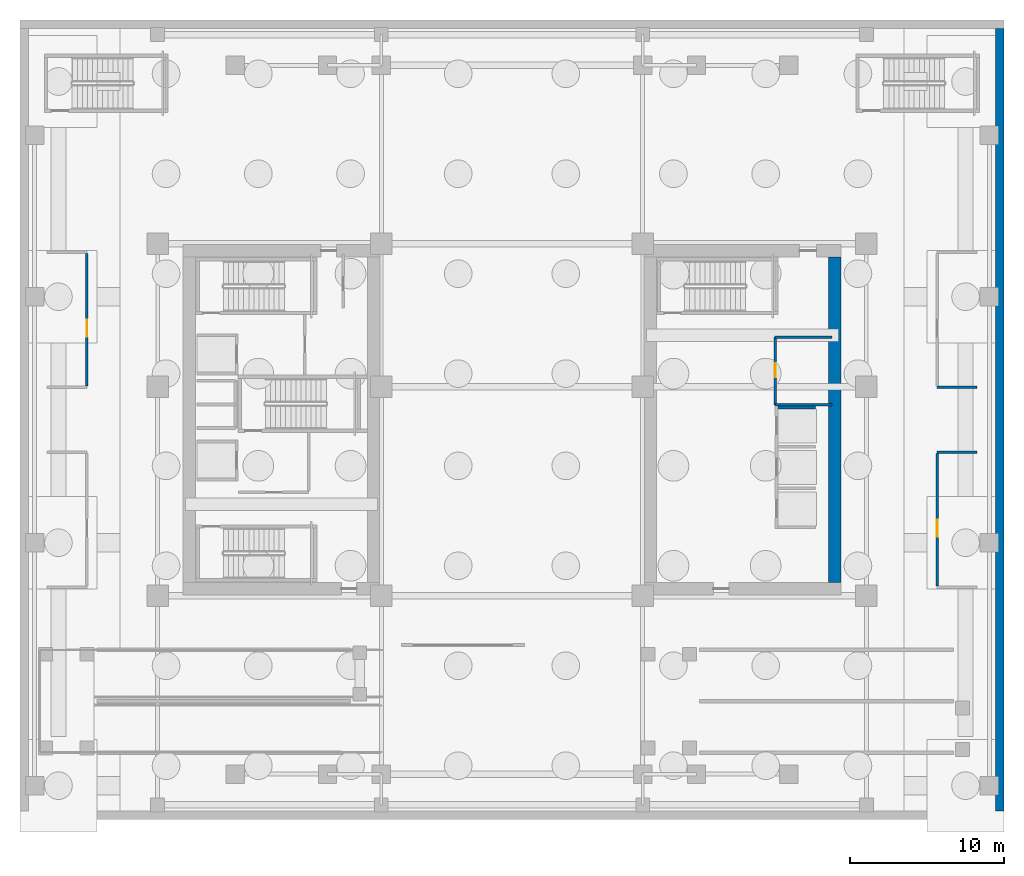
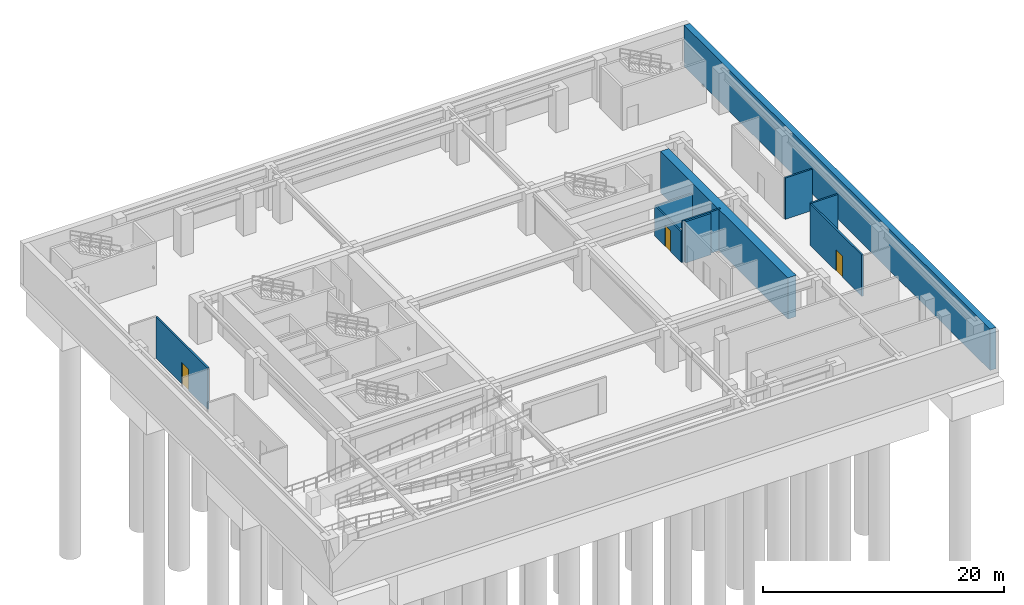
# One storey, part 4 of 9: 10 walls, 3 doors, 3 openings.
"""IFC4 building model written with IfcOpenShell, lengths in metres."""

from ifc_helpers import new_model, si_unit, direction, frame, frame_2d, origin, place, context, subcontext, project, spatial, rectangle, extrude, source, transform, mapped, material, layer, layer_set, type_object, element, fill, save


model = new_model("IFC4")

# Units and contexts
model_context = context("Model", 3, precision=1e-05, world=origin(), true_north=direction((0.0, 1.0)))
body_context = subcontext(model_context, "Body", "Model", "MODEL_VIEW")
ifc_project = project(units=[si_unit("LENGTHUNIT", "METRE"), si_unit("AREAUNIT", "SQUARE_METRE"), si_unit("VOLUMEUNIT", "CUBIC_METRE"), si_unit("PLANEANGLEUNIT", "RADIAN"), si_unit("MASSUNIT", "GRAM", prefix="KILO")], contexts=[model_context])

# Site, building, storey
site_placement = place(None, origin())
site = spatial("IfcSite", under=ifc_project, at=site_placement, CompositionType="ELEMENT")
building_placement = place(site_placement, origin())
building = spatial("IfcBuilding", under=site, at=building_placement, Name="Ocotamira Hotel", CompositionType="ELEMENT")
storey_placement = place(building_placement, frame((0.0, 0.0, -9.0)))
storey = spatial("IfcBuildingStorey", under=building, at=storey_placement, Name="B02", CompositionType="ELEMENT", Elevation=-9.0)

# Walls
ifc_material_1 = material(Name="Concrete C60/75", Category="concrete")
ifc_layer_1 = layer(ifc_material_1, 0.800048828125)
ifc_layer_set_1 = layer_set([ifc_layer_1], Name="Concrete C60/75")
wall_type_1 = type_object("IfcWallType", Name="WL-CORE-800", PredefinedType="SHEAR", material=ifc_layer_set_1)
wall_1_placement = place(storey_placement, frame((53.0, 15.39990234375, 0.0), z_axis=(0.0, 0.0, 1.0), x_axis=(0.0, 1.0, 0.0)))
element("IfcWall", 1, at=wall_1_placement, inside=storey, type_object=wall_type_1, Name="B02 Shear Core Wall ECORE-E", PredefinedType="SHEAR", context=body_context, shape_type="SweptSolid", body=[
    extrude(rectangle(XDim=21.2001953125, YDim=0.800048828125, at=frame_2d((10.60009765625, 0.0))), origin(), (0.0, 0.0, 1.0), 4.199951171875),
])
ifc_material_2 = material(Name="Acoustic double-layer fire gypsum board partition", Category="gypsum")
ifc_layer_2 = layer(ifc_material_2, 0.159912109375)
ifc_layer_set_2 = layer_set([ifc_layer_2], Name="Acoustic double-layer fire gypsum board partition")
wall_type_2 = type_object("IfcWallType", Name="WL-FIRE-160", PredefinedType="PARTITIONING", material=ifc_layer_set_2)
wall_2_placement = place(storey_placement, frame((49.1201171875, 26.969970703125, 0.0), z_axis=(0.0, 0.0, 1.0), x_axis=(1.0, 0.0, 0.0)))
element("IfcWall", 2, at=wall_2_placement, inside=storey, type_object=wall_type_2, Name="B02 Interior Wall PW-B02-EC-NEL-S", PredefinedType="PARTITIONING", context=body_context, shape_type="SweptSolid", body=[
    extrude(rectangle(XDim=3.679931640625, YDim=0.159912109375, at=frame_2d((1.83984375, 0.0))), origin(), (0.0, 0.0, 1.0), 4.199951171875),
])
wall_3_placement = place(storey_placement, frame((49.1201171875, 31.3798828125, 0.0), z_axis=(0.0, 0.0, 1.0), x_axis=(1.0, 0.0, 0.0)))
element("IfcWall", 3, at=wall_3_placement, inside=storey, type_object=wall_type_2, Name="B02 Interior Wall PW-B02-EC-NEL-N", PredefinedType="PARTITIONING", context=body_context, shape_type="SweptSolid", body=[
    extrude(rectangle(XDim=3.679931640625, YDim=0.159912109375, at=frame_2d((1.83984375, 0.0))), origin(), (0.0, 0.0, 1.0), 3.10009765625),
])

# Wall, opening, door
wall_4_placement = place(storey_placement, frame((49.1201171875, 26.969970703125, 0.0), z_axis=(0.0, 0.0, 1.0), x_axis=(0.0, 1.0, 0.0)))
wall_4 = element("IfcWall", 4, at=wall_4_placement, inside=storey, type_object=wall_type_2, Name="B02 Interior Wall PW-B02-EC-NEL-W", PredefinedType="PARTITIONING", context=body_context, shape_type="SweptSolid", body=[
    extrude(rectangle(XDim=4.409912109375, YDim=0.159912109375, at=frame_2d((2.205078125, 0.0))), origin(), (0.0, 0.0, 1.0), 3.10009765625),
])
opening_1_placement = place(wall_4_placement, frame((1.800048828125, 0.0, 0.0)))
opening_1 = element("IfcOpeningElement", 5, at=opening_1_placement, cuts=wall_4, Name="Opening D-IN3", PredefinedType="OPENING", context=body_context, shape_type="SweptSolid", body=[
    extrude(rectangle(XDim=0.89990234375, YDim=2.14990234375, at=frame_2d((0.449951171875, 1.074951171875))), frame((0.0, 0.08984375, 0.0), z_axis=(0.0, -1.0, 0.0), x_axis=(1.0, 0.0, 0.0)), (0.0, 0.0, 1.0), 0.179931640625),
])
ifc_material_3 = material(Name="Painted service room door", Category="steel")
door_type_1 = type_object("IfcDoorType", Name="DR-INT-900", OperationType="NOTDEFINED", PredefinedType="DOOR", material=ifc_material_3)
shared_shape_1 = source(origin(), body_context, "Body", "SweptSolid", [
    extrude(rectangle(XDim=0.89990234375, YDim=2.14990234375, at=frame_2d((0.449951171875, 1.074951171875))), frame((0.0, 0.02490234375, 0.0), z_axis=(0.0, -1.0, 0.0), x_axis=(1.0, 0.0, 0.0)), (0.0, 0.0, 1.0), 0.050048828125),
])
door_1_placement = place(opening_1_placement, origin())
door_1 = element("IfcDoor", 6, at=door_1_placement, inside=storey, type_object=door_type_1, Name="B02 Door ID-B02-EC-NEL-D [ID-B02-EC-NEL-D]", OperationType="SINGLE_SWING_RIGHT", OverallHeight=2.14990234375, OverallWidth=0.89990234375, PredefinedType="DOOR", context=body_context, shape_type="MappedRepresentation", body=[
    mapped(shared_shape_1, transform((0.0, 0.0, 0.0), scale=1.0)),
])
fill(opening_1, door_1)

wall_5_placement = place(storey_placement, frame((4.35009765625, 28.199951171875, 0.0), z_axis=(0.0, 0.0, 1.0), x_axis=(0.0, 1.0, 0.0)))
wall_5 = element("IfcWall", 7, at=wall_5_placement, inside=storey, type_object=wall_type_2, Name="B02 Interior Wall PW-B02-B02-TANK-E", PredefinedType="PARTITIONING", context=body_context, shape_type="SweptSolid", body=[
    extrude(rectangle(XDim=8.60009765625, YDim=0.159912109375, at=frame_2d((4.300048828125, 0.0))), origin(), (0.0, 0.0, 1.0), 4.199951171875),
])
opening_2_placement = place(wall_5_placement, frame((3.199951171875, 0.0, 0.0)))
opening_2 = element("IfcOpeningElement", 8, at=opening_2_placement, cuts=wall_5, Name="Opening D-FR1", PredefinedType="OPENING", context=body_context, shape_type="SweptSolid", body=[
    extrude(rectangle(XDim=1.10009765625, YDim=2.14990234375, at=frame_2d((0.550048828125, 1.074951171875))), frame((0.0, 0.08984375, 0.0), z_axis=(0.0, -1.0, 0.0), x_axis=(1.0, 0.0, 0.0)), (0.0, 0.0, 1.0), 0.179931640625),
])
ifc_material_4 = material(Name="Fire-rated acoustic timber-veneer door", Category="wood")
door_type_2 = type_object("IfcDoorType", Name="DR-FIRE-1100", OperationType="NOTDEFINED", PredefinedType="DOOR", material=ifc_material_4)
shared_shape_2 = source(origin(), body_context, "Body", "SweptSolid", [
    extrude(rectangle(XDim=1.10009765625, YDim=2.14990234375, at=frame_2d((0.550048828125, 1.074951171875))), frame((0.0, 0.02490234375, 0.0), z_axis=(0.0, -1.0, 0.0), x_axis=(1.0, 0.0, 0.0)), (0.0, 0.0, 1.0), 0.050048828125),
])
door_2_placement = place(opening_2_placement, origin())
door_2 = element("IfcDoor", 9, at=door_2_placement, inside=storey, type_object=door_type_2, Name="B02 Door ID-B02-B02-TANK-D [ID-B02-B02-TANK-D]", OperationType="SINGLE_SWING_RIGHT", OverallHeight=2.14990234375, OverallWidth=1.10009765625, PredefinedType="DOOR", context=body_context, shape_type="MappedRepresentation", body=[
    mapped(shared_shape_2, transform((0.0, 0.0, 0.0), scale=1.0)),
])
fill(opening_2, door_2)

# Wall
wall_6_placement = place(storey_placement, frame((59.64990234375, 23.8798828125, 0.0), z_axis=(0.0, 0.0, 1.0), x_axis=(1.0, 0.0, 0.0)))
element("IfcWall", 10, at=wall_6_placement, inside=storey, type_object=wall_type_2, Name="B02 Interior Wall PW-B02-B02-PUMP-N", PredefinedType="PARTITIONING", context=body_context, shape_type="SweptSolid", body=[
    extrude(rectangle(XDim=2.60009765625, YDim=0.159912109375, at=frame_2d((1.300048828125, 0.0))), origin(), (0.0, 0.0, 1.0), 4.199951171875),
])

# Wall, opening, door
wall_7_placement = place(storey_placement, frame((59.64990234375, 15.199951171875, 0.0), z_axis=(0.0, 0.0, 1.0), x_axis=(0.0, 1.0, 0.0)))
wall_7 = element("IfcWall", 11, at=wall_7_placement, inside=storey, type_object=wall_type_2, Name="B02 Interior Wall PW-B02-B02-PUMP-W", PredefinedType="PARTITIONING", context=body_context, shape_type="SweptSolid", body=[
    extrude(rectangle(XDim=8.60009765625, YDim=0.159912109375, at=frame_2d((4.300048828125, 0.0))), origin(), (0.0, 0.0, 1.0), 4.199951171875),
])
opening_3_placement = place(wall_7_placement, frame((3.199951171875, 0.0, 0.0)))
opening_3 = element("IfcOpeningElement", 12, at=opening_3_placement, cuts=wall_7, Name="Opening D-FR1", PredefinedType="OPENING", context=body_context, shape_type="SweptSolid", body=[
    extrude(rectangle(XDim=1.10009765625, YDim=2.14990234375, at=frame_2d((0.550048828125, 1.074951171875))), frame((0.0, 0.08984375, 0.0), z_axis=(0.0, -1.0, 0.0), x_axis=(1.0, 0.0, 0.0)), (0.0, 0.0, 1.0), 0.179931640625),
])
door_3_placement = place(opening_3_placement, origin())
door_3 = element("IfcDoor", 13, at=door_3_placement, inside=storey, type_object=door_type_2, Name="B02 Door ID-B02-B02-PUMP-D [ID-B02-B02-PUMP-D]", OperationType="SINGLE_SWING_LEFT", OverallHeight=2.14990234375, OverallWidth=1.10009765625, PredefinedType="DOOR", context=body_context, shape_type="MappedRepresentation", body=[
    mapped(shared_shape_2, transform((0.0, 0.0, 0.0), scale=1.0)),
])
fill(opening_3, door_3)

# Walls
wall_8_placement = place(storey_placement, frame((59.64990234375, 28.1201171875, 0.0), z_axis=(0.0, 0.0, 1.0), x_axis=(1.0, 0.0, 0.0)))
element("IfcWall", 14, at=wall_8_placement, inside=storey, type_object=wall_type_2, Name="B02 Interior Wall PW-B02-B02-LAUN-S", PredefinedType="PARTITIONING", context=body_context, shape_type="SweptSolid", body=[
    extrude(rectangle(XDim=2.60009765625, YDim=0.159912109375, at=frame_2d((1.300048828125, 0.0))), origin(), (0.0, 0.0, 1.0), 4.199951171875),
])
ifc_material_5 = material(Name="Concrete C50/60", Category="concrete")
ifc_layer_3 = layer(ifc_material_5, 0.550048828125)
ifc_layer_set_3 = layer_set([ifc_layer_3], Name="Concrete C50/60")
wall_type_3 = type_object("IfcWallType", Name="WL-RET-550", PredefinedType="USERDEFINED", material=ifc_layer_set_3)
wall_9_placement = place(storey_placement, frame((63.72509765625, 0.550048828125, 0.0), z_axis=(0.0, 0.0, 1.0), x_axis=(0.0, 1.0, 0.0)))
element("IfcWall", 15, at=wall_9_placement, inside=storey, type_object=wall_type_3, Name="B02 Shear Core Wall RW-PERIM-E", ObjectType="RETAINING WALL", PredefinedType="USERDEFINED", context=body_context, shape_type="SweptSolid", body=[
    extrude(rectangle(XDim=50.89990234375, YDim=0.550048828125, at=frame_2d((25.449951171875, 0.0))), origin(), (0.0, 0.0, 1.0), 4.199951171875),
])
ifc_material_6 = material(Name="Fire-rated gypsum shaftliner board assembly", Category="gypsum")
ifc_layer_4 = layer(ifc_material_6, 0.179931640625)
ifc_layer_set_4 = layer_set([ifc_layer_4], Name="Fire-rated gypsum shaftliner board assembly")
wall_type_4 = type_object("IfcWallType", Name="WL-SHAFT-180", PredefinedType="SOLIDWALL", material=ifc_layer_set_4)
wall_10_placement = place(storey_placement, frame((49.300048828125, 26.7900390625, 0.0), z_axis=(0.0, 0.0, 1.0), x_axis=(1.0, 0.0, 0.0)))
element("IfcWall", 16, at=wall_10_placement, inside=storey, type_object=wall_type_4, Name="B02 Interior Wall PW-B02-LFW-BANK-low-N", PredefinedType="SOLIDWALL", context=body_context, shape_type="SweptSolid", body=[
    extrude(rectangle(XDim=2.449951171875, YDim=0.179931640625, at=frame_2d((1.22509765625, 0.0))), origin(), (0.0, 0.0, 1.0), 4.199951171875),
])

save(model, "model.ifc")
